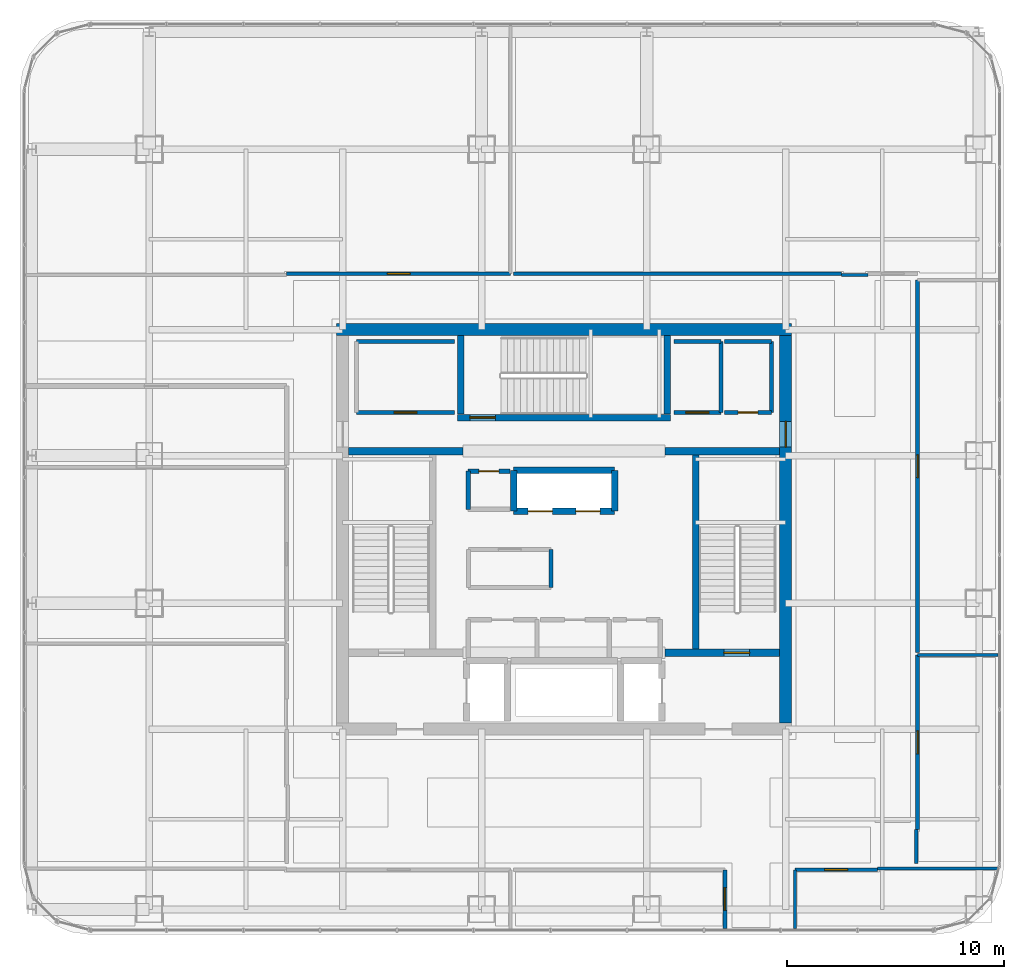
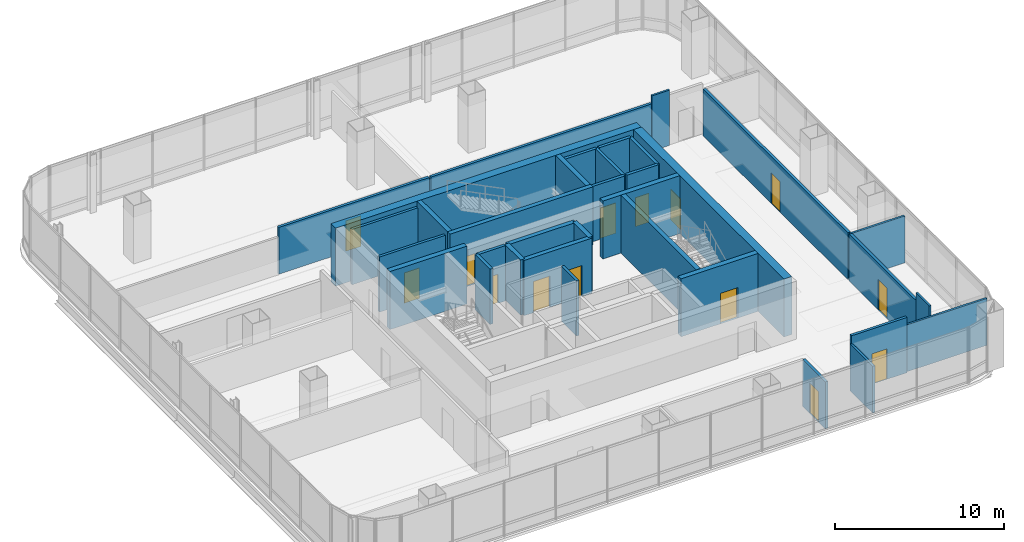
# One storey, part 35 of 41: 35 walls, 14 doors, 14 openings.
"""IFC4 building model written with IfcOpenShell, lengths in metres."""

from ifc_helpers import new_model, si_unit, direction, frame, frame_2d, origin, place, context, subcontext, project, spatial, rectangle, extrude, material, layer, layer_set, type_object, element, fill, save


model = new_model("IFC4")

# Units and contexts
model_context = context("Model", 3, precision=1e-05, world=origin(), true_north=direction((0.0, 1.0)))
body_context = subcontext(model_context, "Body", "Model", "MODEL_VIEW")
ifc_project = project(units=[si_unit("LENGTHUNIT", "METRE"), si_unit("AREAUNIT", "SQUARE_METRE"), si_unit("VOLUMEUNIT", "CUBIC_METRE"), si_unit("PLANEANGLEUNIT", "RADIAN"), si_unit("MASSUNIT", "GRAM", prefix="KILO")], contexts=[model_context])

# Site, building, storey
site_placement = place(None, origin())
site = spatial("IfcSite", under=ifc_project, at=site_placement, CompositionType="ELEMENT")
building_placement = place(site_placement, origin())
building = spatial("IfcBuilding", under=site, at=building_placement, Name="Punatoya Terracotta Tower", CompositionType="ELEMENT")
storey_placement = place(building_placement, frame((0.0, 0.0, 309.0)))
storey = spatial("IfcBuildingStorey", under=building, at=storey_placement, Name="L73", CompositionType="ELEMENT", Elevation=309.0)

# Wall
ifc_material_1 = material(Name="Concrete C50/60", Category="concrete")
ifc_layer_1 = layer(ifc_material_1, 0.550048828125)
ifc_layer_set_1 = layer_set([ifc_layer_1], Name="Concrete C50/60")
wall_type_1 = type_object("IfcWallType", Name="WL-COR-550", PredefinedType="SHEAR", material=ifc_layer_set_1)
wall_1_placement = place(storey_placement, frame((-10.47509765625, 9.199951171875, 0.0), z_axis=(0.0, 0.0, 1.0), x_axis=(1.0, 0.0, 0.0)))
element("IfcWall", 1, at=wall_1_placement, inside=storey, type_object=wall_type_1, Name="L73 Core Shear Wall N", PredefinedType="SHEAR", context=body_context, shape_type="SweptSolid", body=[
    extrude(rectangle(XDim=20.9501953125, YDim=0.550048828125, at=frame_2d((10.47509765625, 0.0))), origin(), (0.0, 0.0, 1.0), 4.199951171875),
])

# Wall, opening, door
wall_2_placement = place(storey_placement, frame((10.199951171875, 8.925048828125, 0.0), z_axis=(0.0, 0.0, 1.0), x_axis=(0.0, -1.0, 0.0)))
wall_2 = element("IfcWall", 2, at=wall_2_placement, inside=storey, type_object=wall_type_1, Name="L73 Core Shear Wall E", PredefinedType="SHEAR", context=body_context, shape_type="SweptSolid", body=[
    extrude(rectangle(XDim=17.85009765625, YDim=0.550048828125, at=frame_2d((8.925048828125, 0.0))), origin(), (0.0, 0.0, 1.0), 4.199951171875),
])
opening_1_placement = place(wall_2_placement, frame((3.955078125, 0.0, 0.0)))
opening_1 = element("IfcOpeningElement", 3, at=opening_1_placement, cuts=wall_2, Name="Opening SD-01", PredefinedType="OPENING", context=body_context, shape_type="SweptSolid", body=[
    extrude(rectangle(XDim=1.179931640625, YDim=2.199951171875, at=frame_2d((0.58984375, 1.10009765625))), frame((0.0, 0.284912109375, 0.0), z_axis=(0.0, -1.0, 0.0), x_axis=(1.0, 0.0, 0.0)), (0.0, 0.0, 1.0), 0.570068359375),
])
ifc_material_2 = material(Name="Galvanised Steel Pressurized Stair Fire Door", Category="steel")
door_type_1 = type_object("IfcDoorType", Name="DR-STR-1180", OperationType="NOTDEFINED", PredefinedType="DOOR", material=ifc_material_2)
door_1_placement = place(opening_1_placement, origin())
door_1 = element("IfcDoor", 4, at=door_1_placement, inside=storey, type_object=door_type_1, Name="L73 Central Lift Lobby East Fire Door", OperationType="SINGLE_SWING_RIGHT", OverallHeight=2.199951171875, OverallWidth=1.179931640625, PredefinedType="DOOR", context=body_context, shape_type="SweptSolid", body=[
    extrude(rectangle(XDim=1.179931640625, YDim=2.199951171875, at=frame_2d((0.58984375, 1.10009765625))), frame((0.0, 0.02490234375, 0.0), z_axis=(0.0, -1.0, 0.0), x_axis=(1.0, 0.0, 0.0)), (0.0, 0.0, 1.0), 0.050048828125),
])
fill(opening_1, door_1)

# Walls
ifc_material_3 = material(Name="Gypsum Fireboard + Steel Stud", Category="steel")
ifc_layer_2 = layer(ifc_material_3, 0.179931640625)
ifc_layer_set_2 = layer_set([ifc_layer_2], Name="Gypsum Fireboard + Steel Stud")
wall_type_2 = type_object("IfcWallType", Name="WL-CORR-180", PredefinedType="PARTITIONING", material=ifc_layer_set_2)
wall_3_placement = place(storey_placement, frame((-0.60009765625, -2.679931640625, 0.0), z_axis=(0.0, 0.0, 1.0), x_axis=(0.0, 1.0, 0.0)))
element("IfcWall", 5, at=wall_3_placement, inside=storey, type_object=wall_type_2, Name="L73 West Core Archive Office Partition 08", PredefinedType="PARTITIONING", context=body_context, shape_type="SweptSolid", body=[
    extrude(rectangle(XDim=1.760009765625, YDim=0.179931640625, at=frame_2d((0.8798828125, 0.0))), origin(), (0.0, 0.0, 1.0), 4.0),
])
wall_4_placement = place(storey_placement, frame((-5.050048828125, 8.64990234375, 0.0), z_axis=(0.0, 0.0, 1.0), x_axis=(-1.0, 0.0, 0.0)))
element("IfcWall", 6, at=wall_4_placement, inside=storey, type_object=wall_type_2, Name="L73 West Core Records Office Partition 15", PredefinedType="PARTITIONING", context=body_context, shape_type="SweptSolid", body=[
    extrude(rectangle(XDim=4.5, YDim=0.179931640625, at=frame_2d((2.25, 0.0))), origin(), (0.0, 0.0, 1.0), 4.0),
])

# Wall, opening, door
wall_5_placement = place(storey_placement, frame((-9.550048828125, 5.3798828125, 0.0), z_axis=(0.0, 0.0, 1.0), x_axis=(1.0, 0.0, 0.0)))
wall_5 = element("IfcWall", 7, at=wall_5_placement, inside=storey, type_object=wall_type_2, Name="L73 West Core Records Office Partition 17", PredefinedType="PARTITIONING", context=body_context, shape_type="SweptSolid", body=[
    extrude(rectangle(XDim=4.5, YDim=0.179931640625, at=frame_2d((2.25, 0.0))), origin(), (0.0, 0.0, 1.0), 4.0),
])
opening_2_placement = place(wall_5_placement, frame((1.72509765625, 0.0, 0.0)))
opening_2 = element("IfcOpeningElement", 8, at=opening_2_placement, cuts=wall_5, Name="Opening OD-01", PredefinedType="OPENING", context=body_context, shape_type="SweptSolid", body=[
    extrude(rectangle(XDim=1.050048828125, YDim=2.199951171875, at=frame_2d((0.52490234375, 1.10009765625))), frame((0.0, 0.099853515625, 0.0), z_axis=(0.0, -1.0, 0.0), x_axis=(1.0, 0.0, 0.0)), (0.0, 0.0, 1.0), 0.199951171875),
])
ifc_material_4 = material(Name="Bengal Teak Solid-Core Leaf")
door_type_2 = type_object("IfcDoorType", Name="DR-OFF-1050", OperationType="NOTDEFINED", PredefinedType="DOOR", material=ifc_material_4)
door_2_placement = place(opening_2_placement, origin())
door_2 = element("IfcDoor", 9, at=door_2_placement, inside=storey, type_object=door_type_2, Name="L73 West Records Office Door", OperationType="SINGLE_SWING_RIGHT", OverallHeight=2.199951171875, OverallWidth=1.050048828125, PredefinedType="DOOR", context=body_context, shape_type="SweptSolid", body=[
    extrude(rectangle(XDim=1.050048828125, YDim=2.199951171875, at=frame_2d((0.52490234375, 1.10009765625))), frame((0.0, 0.02490234375, 0.0), z_axis=(0.0, -1.0, 0.0), x_axis=(1.0, 0.0, 0.0)), (0.0, 0.0, 1.0), 0.050048828125),
])
fill(opening_2, door_2)

wall_6_placement = place(storey_placement, frame((7.39990234375, -15.669921875, 0.0), z_axis=(0.0, 0.0, 1.0), x_axis=(0.0, -1.0, 0.0)))
wall_6 = element("IfcWall", 10, at=wall_6_placement, inside=storey, type_object=wall_type_2, Name="L73 Open-Plan Cartography Reference Library Partition 27", PredefinedType="PARTITIONING", context=body_context, shape_type="SweptSolid", body=[
    extrude(rectangle(XDim=2.7001953125, YDim=0.179931640625, at=frame_2d((1.35009765625, 0.0))), origin(), (0.0, 0.0, 1.0), 3.39404296875),
])
opening_3_placement = place(wall_6_placement, frame((0.824951171875, 0.0, 0.0)))
opening_3 = element("IfcOpeningElement", 11, at=opening_3_placement, cuts=wall_6, Name="Opening OD-01", PredefinedType="OPENING", context=body_context, shape_type="SweptSolid", body=[
    extrude(rectangle(XDim=1.050048828125, YDim=2.199951171875, at=frame_2d((0.52490234375, 1.10009765625))), frame((0.0, 0.099853515625, 0.0), z_axis=(0.0, -1.0, 0.0), x_axis=(1.0, 0.0, 0.0)), (0.0, 0.0, 1.0), 0.199951171875),
])
door_3_placement = place(opening_3_placement, origin())
door_3 = element("IfcDoor", 12, at=door_3_placement, inside=storey, type_object=door_type_2, Name="L73 Open-Plan Cartography Reference Library Door", OperationType="SINGLE_SWING_RIGHT", OverallHeight=2.199951171875, OverallWidth=1.050048828125, PredefinedType="DOOR", context=body_context, shape_type="SweptSolid", body=[
    extrude(rectangle(XDim=1.050048828125, YDim=2.199951171875, at=frame_2d((0.52490234375, 1.10009765625))), frame((0.0, 0.02490234375, 0.0), z_axis=(0.0, -1.0, 0.0), x_axis=(1.0, 0.0, 0.0)), (0.0, 0.0, 1.0), 0.050048828125),
])
fill(opening_3, door_3)

wall_7_placement = place(storey_placement, frame((10.6240234375, -15.669921875, 0.0), z_axis=(0.0, 0.0, 1.0), x_axis=(1.0, 0.0, 0.0)))
wall_7 = element("IfcWall", 13, at=wall_7_placement, inside=storey, type_object=wall_type_2, Name="L73 Open-Plan Materials Testing Laboratory Partition 30", PredefinedType="PARTITIONING", context=body_context, shape_type="SweptSolid", body=[
    extrude(rectangle(XDim=3.7958984375, YDim=0.179931640625, at=frame_2d((1.89794921875, 0.0))), origin(), (0.0, 0.0, 1.0), 4.0),
])
opening_4_placement = place(wall_7_placement, frame((1.373046875, 0.0, 0.0)))
opening_4 = element("IfcOpeningElement", 14, at=opening_4_placement, cuts=wall_7, Name="Opening OD-01", PredefinedType="OPENING", context=body_context, shape_type="SweptSolid", body=[
    extrude(rectangle(XDim=1.050048828125, YDim=2.199951171875, at=frame_2d((0.52490234375, 1.10009765625))), frame((0.0, 0.099853515625, 0.0), z_axis=(0.0, -1.0, 0.0), x_axis=(1.0, 0.0, 0.0)), (0.0, 0.0, 1.0), 0.199951171875),
])
door_4_placement = place(opening_4_placement, origin())
door_4 = element("IfcDoor", 15, at=door_4_placement, inside=storey, type_object=door_type_2, Name="L73 Open-Plan Materials Testing Laboratory Door", OperationType="SINGLE_SWING_LEFT", OverallHeight=2.199951171875, OverallWidth=1.050048828125, PredefinedType="DOOR", context=body_context, shape_type="SweptSolid", body=[
    extrude(rectangle(XDim=1.050048828125, YDim=2.199951171875, at=frame_2d((0.52490234375, 1.10009765625))), frame((0.0, 0.02490234375, 0.0), z_axis=(0.0, -1.0, 0.0), x_axis=(1.0, 0.0, 0.0)), (0.0, 0.0, 1.0), 0.050048828125),
])
fill(opening_4, door_4)

wall_8_placement = place(storey_placement, frame((16.27001953125, -13.820068359375, 0.0), z_axis=(0.0, 0.0, 1.0), x_axis=(0.0, 1.0, 0.0)))
wall_8 = element("IfcWall", 16, at=wall_8_placement, inside=storey, type_object=wall_type_2, Name="L73 Environmental Research Laboratory Partition 33", PredefinedType="PARTITIONING", context=body_context, shape_type="SweptSolid", body=[
    extrude(rectangle(XDim=8.030029296875, YDim=0.179931640625, at=frame_2d((4.01513671875, 0.0))), origin(), (0.0, 0.0, 1.0), 3.39404296875),
])
opening_5_placement = place(wall_8_placement, frame((3.489990234375, 0.0, 0.0)))
opening_5 = element("IfcOpeningElement", 17, at=opening_5_placement, cuts=wall_8, Name="Opening OD-01", PredefinedType="OPENING", context=body_context, shape_type="SweptSolid", body=[
    extrude(rectangle(XDim=1.050048828125, YDim=2.199951171875, at=frame_2d((0.52490234375, 1.10009765625))), frame((0.0, 0.099853515625, 0.0), z_axis=(0.0, -1.0, 0.0), x_axis=(1.0, 0.0, 0.0)), (0.0, 0.0, 1.0), 0.199951171875),
])
door_5_placement = place(opening_5_placement, origin())
door_5 = element("IfcDoor", 18, at=door_5_placement, inside=storey, type_object=door_type_2, Name="L73 Environmental Research Laboratory Door", OperationType="SINGLE_SWING_RIGHT", OverallHeight=2.199951171875, OverallWidth=1.050048828125, PredefinedType="DOOR", context=body_context, shape_type="SweptSolid", body=[
    extrude(rectangle(XDim=1.050048828125, YDim=2.199951171875, at=frame_2d((0.52490234375, 1.10009765625))), frame((0.0, 0.02490234375, 0.0), z_axis=(0.0, -1.0, 0.0), x_axis=(1.0, 0.0, 0.0)), (0.0, 0.0, 1.0), 0.050048828125),
])
fill(opening_5, door_5)

wall_9_placement = place(storey_placement, frame((16.27001953125, -5.669921875, 0.0), z_axis=(0.0, 0.0, 1.0), x_axis=(0.0, 1.0, 0.0)))
wall_9 = element("IfcWall", 19, at=wall_9_placement, inside=storey, type_object=wall_type_2, Name="L73 Open-Plan Wellness Rest Room Partition 41", PredefinedType="PARTITIONING", context=body_context, shape_type="SweptSolid", body=[
    extrude(rectangle(XDim=17.159912109375, YDim=0.179931640625, at=frame_2d((8.580078125, 0.0))), origin(), (0.0, 0.0, 1.0), 3.39404296875),
])
opening_6_placement = place(wall_9_placement, frame((8.054931640625, 0.0, 0.0)))
opening_6 = element("IfcOpeningElement", 20, at=opening_6_placement, cuts=wall_9, Name="Opening OD-01", PredefinedType="OPENING", context=body_context, shape_type="SweptSolid", body=[
    extrude(rectangle(XDim=1.050048828125, YDim=2.199951171875, at=frame_2d((0.52490234375, 1.10009765625))), frame((0.0, 0.099853515625, 0.0), z_axis=(0.0, -1.0, 0.0), x_axis=(1.0, 0.0, 0.0)), (0.0, 0.0, 1.0), 0.199951171875),
])
door_6_placement = place(opening_6_placement, origin())
door_6 = element("IfcDoor", 21, at=door_6_placement, inside=storey, type_object=door_type_2, Name="L73 Open-Plan Wellness Rest Room Door", OperationType="SINGLE_SWING_LEFT", OverallHeight=2.199951171875, OverallWidth=1.050048828125, PredefinedType="DOOR", context=body_context, shape_type="SweptSolid", body=[
    extrude(rectangle(XDim=1.050048828125, YDim=2.199951171875, at=frame_2d((0.52490234375, 1.10009765625))), frame((0.0, 0.02490234375, 0.0), z_axis=(0.0, -1.0, 0.0), x_axis=(1.0, 0.0, 0.0)), (0.0, 0.0, 1.0), 0.050048828125),
])
fill(opening_6, door_6)

wall_10_placement = place(storey_placement, frame((-2.4599609375, 11.77001953125, 0.0), z_axis=(0.0, 0.0, 1.0), x_axis=(-1.0, 0.0, 0.0)))
wall_10 = element("IfcWall", 22, at=wall_10_placement, inside=storey, type_object=wall_type_2, Name="L73 Hydrology Modelling Laboratory Partition 46", PredefinedType="PARTITIONING", context=body_context, shape_type="SweptSolid", body=[
    extrude(rectangle(XDim=10.31005859375, YDim=0.179931640625, at=frame_2d((5.155029296875, 0.0))), origin(), (0.0, 0.0, 1.0), 3.39404296875),
])
opening_7_placement = place(wall_10_placement, frame((4.6298828125, 0.0, 0.0)))
opening_7 = element("IfcOpeningElement", 23, at=opening_7_placement, cuts=wall_10, Name="Opening OD-01", PredefinedType="OPENING", context=body_context, shape_type="SweptSolid", body=[
    extrude(rectangle(XDim=1.050048828125, YDim=2.199951171875, at=frame_2d((0.52490234375, 1.10009765625))), frame((0.0, 0.099853515625, 0.0), z_axis=(0.0, -1.0, 0.0), x_axis=(1.0, 0.0, 0.0)), (0.0, 0.0, 1.0), 0.199951171875),
])
door_7_placement = place(opening_7_placement, origin())
door_7 = element("IfcDoor", 24, at=door_7_placement, inside=storey, type_object=door_type_2, Name="L73 Hydrology Modelling Laboratory Door", OperationType="SINGLE_SWING_LEFT", OverallHeight=2.199951171875, OverallWidth=1.050048828125, PredefinedType="DOOR", context=body_context, shape_type="SweptSolid", body=[
    extrude(rectangle(XDim=1.050048828125, YDim=2.199951171875, at=frame_2d((0.52490234375, 1.10009765625))), frame((0.0, 0.02490234375, 0.0), z_axis=(0.0, -1.0, 0.0), x_axis=(1.0, 0.0, 0.0)), (0.0, 0.0, 1.0), 0.050048828125),
])
fill(opening_7, door_7)

# Wall
wall_11_placement = place(storey_placement, frame((12.77001953125, 11.77001953125, 0.0), z_axis=(0.0, 0.0, 1.0), x_axis=(-1.0, 0.0, 0.0)))
element("IfcWall", 25, at=wall_11_placement, inside=storey, type_object=wall_type_2, Name="L73 Urban Analytics Laboratory Partition 50", PredefinedType="PARTITIONING", context=body_context, shape_type="SweptSolid", body=[
    extrude(rectangle(XDim=15.110107421875, YDim=0.179931640625, at=frame_2d((7.55517578125, 0.0))), origin(), (0.0, 0.0, 1.0), 3.39404296875),
])

# Wall, opening, door
ifc_material_5 = material(Name="Concrete C40/50", Category="concrete")
ifc_layer_3 = layer(ifc_material_5, 0.199951171875)
ifc_layer_set_3 = layer_set([ifc_layer_3], Name="Concrete C40/50")
wall_type_3 = type_object("IfcWallType", Name="WL-INT-200", PredefinedType="SOLIDWALL", material=ifc_layer_set_3)
wall_12_placement = place(storey_placement, frame((-2.5, 2.679931640625, 0.0), z_axis=(0.0, 0.0, 1.0), x_axis=(-1.0, 0.0, 0.0)))
wall_12 = element("IfcWall", 26, at=wall_12_placement, inside=storey, type_object=wall_type_3, Name="L73 Core Security Equipment Closet Partition 12", PredefinedType="SOLIDWALL", context=body_context, shape_type="SweptSolid", body=[
    extrude(rectangle(XDim=1.919921875, YDim=0.199951171875, at=frame_2d((0.9599609375, 0.0))), origin(), (0.0, 0.0, 1.0), 4.0),
])
opening_8_placement = place(wall_12_placement, frame((0.5, 0.0, 0.0)))
opening_8 = element("IfcOpeningElement", 27, at=opening_8_placement, cuts=wall_12, Name="Opening FD-R1", PredefinedType="OPENING", context=body_context, shape_type="SweptSolid", body=[
    extrude(rectangle(XDim=0.919921875, YDim=2.10009765625, at=frame_2d((0.4599609375, 1.050048828125))), frame((0.0, 0.10986328125, 0.0), z_axis=(0.0, -1.0, 0.0), x_axis=(1.0, 0.0, 0.0)), (0.0, 0.0, 1.0), 0.219970703125),
])
ifc_material_6 = material(Name="Galvanised Steel Riser Fire Access Door", Category="steel")
door_type_3 = type_object("IfcDoorType", Name="DR-RSR-920", OperationType="NOTDEFINED", PredefinedType="DOOR", material=ifc_material_6)
door_8_placement = place(opening_8_placement, origin())
door_8 = element("IfcDoor", 28, at=door_8_placement, inside=storey, type_object=door_type_3, Name="L73 Core Security Equipment Closet Fire Door", OperationType="SINGLE_SWING_LEFT", OverallHeight=2.10009765625, OverallWidth=0.919921875, PredefinedType="DOOR", context=body_context, shape_type="SweptSolid", body=[
    extrude(rectangle(XDim=0.919921875, YDim=2.10009765625, at=frame_2d((0.4599609375, 1.050048828125))), frame((0.0, 0.02490234375, 0.0), z_axis=(0.0, -1.0, 0.0), x_axis=(1.0, 0.0, 0.0)), (0.0, 0.0, 1.0), 0.050048828125),
])
fill(opening_8, door_8)

# Walls
wall_13_placement = place(storey_placement, frame((-4.419921875, 2.679931640625, 0.0), z_axis=(0.0, 0.0, 1.0), x_axis=(0.0, -1.0, 0.0)))
element("IfcWall", 29, at=wall_13_placement, inside=storey, type_object=wall_type_3, Name="L73 Core Security Equipment Closet Partition 13", PredefinedType="SOLIDWALL", context=body_context, shape_type="SweptSolid", body=[
    extrude(rectangle(XDim=1.760009765625, YDim=0.199951171875, at=frame_2d((0.8798828125, 0.0))), origin(), (0.0, 0.0, 1.0), 4.0),
])
wall_14_placement = place(storey_placement, frame((7.219970703125, 5.3798828125, 0.0), z_axis=(0.0, 0.0, 1.0), x_axis=(0.0, 1.0, 0.0)))
element("IfcWall", 30, at=wall_14_placement, inside=storey, type_object=wall_type_3, Name="L73 East Core Pantry Partition 18", PredefinedType="SOLIDWALL", context=body_context, shape_type="SweptSolid", body=[
    extrude(rectangle(XDim=3.27001953125, YDim=0.199951171875, at=frame_2d((1.635009765625, 0.0))), origin(), (0.0, 0.0, 1.0), 4.0),
])
wall_15_placement = place(storey_placement, frame((7.219970703125, 8.64990234375, 0.0), z_axis=(0.0, 0.0, 1.0), x_axis=(-1.0, 0.0, 0.0)))
element("IfcWall", 31, at=wall_15_placement, inside=storey, type_object=wall_type_3, Name="L73 East Core Pantry Partition 19", PredefinedType="SOLIDWALL", context=body_context, shape_type="SweptSolid", body=[
    extrude(rectangle(XDim=2.169921875, YDim=0.199951171875, at=frame_2d((1.0849609375, 0.0))), origin(), (0.0, 0.0, 1.0), 4.0),
])

# Wall, opening, door
wall_16_placement = place(storey_placement, frame((5.050048828125, 5.3798828125, 0.0), z_axis=(0.0, 0.0, 1.0), x_axis=(1.0, 0.0, 0.0)))
wall_16 = element("IfcWall", 32, at=wall_16_placement, inside=storey, type_object=wall_type_3, Name="L73 East Core Pantry Partition 20", PredefinedType="SOLIDWALL", context=body_context, shape_type="SweptSolid", body=[
    extrude(rectangle(XDim=2.169921875, YDim=0.199951171875, at=frame_2d((1.0849609375, 0.0))), origin(), (0.0, 0.0, 1.0), 4.0),
])
opening_9_placement = place(wall_16_placement, frame((0.56005859375, 0.0, 0.0)))
opening_9 = element("IfcOpeningElement", 33, at=opening_9_placement, cuts=wall_16, Name="Opening OD-01", PredefinedType="OPENING", context=body_context, shape_type="SweptSolid", body=[
    extrude(rectangle(XDim=1.050048828125, YDim=2.199951171875, at=frame_2d((0.52490234375, 1.10009765625))), frame((0.0, 0.10986328125, 0.0), z_axis=(0.0, -1.0, 0.0), x_axis=(1.0, 0.0, 0.0)), (0.0, 0.0, 1.0), 0.219970703125),
])
door_9_placement = place(opening_9_placement, origin())
door_9 = element("IfcDoor", 34, at=door_9_placement, inside=storey, type_object=door_type_2, Name="L73 East Pantry Door", OperationType="SINGLE_SWING_LEFT", OverallHeight=2.199951171875, OverallWidth=1.050048828125, PredefinedType="DOOR", context=body_context, shape_type="SweptSolid", body=[
    extrude(rectangle(XDim=1.050048828125, YDim=2.199951171875, at=frame_2d((0.52490234375, 1.10009765625))), frame((0.0, 0.02490234375, 0.0), z_axis=(0.0, -1.0, 0.0), x_axis=(1.0, 0.0, 0.0)), (0.0, 0.0, 1.0), 0.050048828125),
])
fill(opening_9, door_9)

# Walls
wall_17_placement = place(storey_placement, frame((9.550048828125, 5.3798828125, 0.0), z_axis=(0.0, 0.0, 1.0), x_axis=(0.0, 1.0, 0.0)))
element("IfcWall", 35, at=wall_17_placement, inside=storey, type_object=wall_type_3, Name="L73 East Core Store Partition 21", PredefinedType="SOLIDWALL", context=body_context, shape_type="SweptSolid", body=[
    extrude(rectangle(XDim=3.27001953125, YDim=0.199951171875, at=frame_2d((1.635009765625, 0.0))), origin(), (0.0, 0.0, 1.0), 4.0),
])
wall_18_placement = place(storey_placement, frame((9.550048828125, 8.64990234375, 0.0), z_axis=(0.0, 0.0, 1.0), x_axis=(-1.0, 0.0, 0.0)))
element("IfcWall", 36, at=wall_18_placement, inside=storey, type_object=wall_type_3, Name="L73 East Core Store Partition 22", PredefinedType="SOLIDWALL", context=body_context, shape_type="SweptSolid", body=[
    extrude(rectangle(XDim=2.170166015625, YDim=0.199951171875, at=frame_2d((1.0849609375, 0.0))), origin(), (0.0, 0.0, 1.0), 4.0),
])

# Wall, opening, door
wall_19_placement = place(storey_placement, frame((7.3798828125, 5.3798828125, 0.0), z_axis=(0.0, 0.0, 1.0), x_axis=(1.0, 0.0, 0.0)))
wall_19 = element("IfcWall", 37, at=wall_19_placement, inside=storey, type_object=wall_type_3, Name="L73 East Core Store Partition 23", PredefinedType="SOLIDWALL", context=body_context, shape_type="SweptSolid", body=[
    extrude(rectangle(XDim=2.170166015625, YDim=0.199951171875, at=frame_2d((1.0849609375, 0.0))), origin(), (0.0, 0.0, 1.0), 4.0),
])
opening_10_placement = place(wall_19_placement, frame((0.625, 0.0, 0.0)))
opening_10 = element("IfcOpeningElement", 38, at=opening_10_placement, cuts=wall_19, Name="Opening FD-R1", PredefinedType="OPENING", context=body_context, shape_type="SweptSolid", body=[
    extrude(rectangle(XDim=0.919921875, YDim=2.10009765625, at=frame_2d((0.4599609375, 1.050048828125))), frame((0.0, 0.10986328125, 0.0), z_axis=(0.0, -1.0, 0.0), x_axis=(1.0, 0.0, 0.0)), (0.0, 0.0, 1.0), 0.219970703125),
])
door_10_placement = place(opening_10_placement, origin())
door_10 = element("IfcDoor", 39, at=door_10_placement, inside=storey, type_object=door_type_3, Name="L73 East Core Store Fire Door", OperationType="SINGLE_SWING_RIGHT", OverallHeight=2.10009765625, OverallWidth=0.919921875, PredefinedType="DOOR", context=body_context, shape_type="SweptSolid", body=[
    extrude(rectangle(XDim=0.919921875, YDim=2.10009765625, at=frame_2d((0.4599609375, 1.050048828125))), frame((0.0, 0.02490234375, 0.0), z_axis=(0.0, -1.0, 0.0), x_axis=(1.0, 0.0, 0.0)), (0.0, 0.0, 1.0), 0.050048828125),
])
fill(opening_10, door_10)

# Walls
ifc_material_7 = material(Name="Acoustic Gypsum + Steel Stud", Category="steel")
ifc_layer_4 = layer(ifc_material_7, 0.139892578125)
ifc_layer_set_4 = layer_set([ifc_layer_4], Name="Acoustic Gypsum + Steel Stud")
wall_type_4 = type_object("IfcWallType", Name="WL-OFF-140", PredefinedType="PARTITIONING", material=ifc_layer_set_4)
wall_20_placement = place(storey_placement, frame((10.6240234375, -18.3701171875, 0.0), z_axis=(0.0, 0.0, 1.0), x_axis=(0.0, 1.0, 0.0)))
element("IfcWall", 40, at=wall_20_placement, inside=storey, type_object=wall_type_4, Name="L73 Open-Plan Materials Testing Laboratory Partition 29", PredefinedType="PARTITIONING", context=body_context, shape_type="SweptSolid", body=[
    extrude(rectangle(XDim=2.7001953125, YDim=0.139892578125, at=frame_2d((1.35009765625, 0.0))), origin(), (0.0, 0.0, 1.0), 3.39404296875),
])
wall_21_placement = place(storey_placement, frame((14.419921875, -15.610107421875, 0.0), z_axis=(0.0, 0.0, 1.0), x_axis=(1.0, 0.0, 0.0)))
element("IfcWall", 41, at=wall_21_placement, inside=storey, type_object=wall_type_4, Name="L73 Open-Plan Materials Testing Laboratory Partition 31", PredefinedType="PARTITIONING", context=body_context, shape_type="SweptSolid", body=[
    extrude(rectangle(XDim=5.526611328125, YDim=0.139892578125, at=frame_2d((2.76318359375, 0.0))), origin(), (0.0, 0.0, 1.0), 3.39404296875),
])
wall_22_placement = place(storey_placement, frame((16.2099609375, -15.389892578125, 0.0), z_axis=(0.0, 0.0, 1.0), x_axis=(0.0, 1.0, 0.0)))
element("IfcWall", 42, at=wall_22_placement, inside=storey, type_object=wall_type_4, Name="L73 Environmental Research Laboratory Partition 32", PredefinedType="PARTITIONING", context=body_context, shape_type="SweptSolid", body=[
    extrude(rectangle(XDim=1.56982421875, YDim=0.139892578125, at=frame_2d((0.784912109375, 0.0))), origin(), (0.0, 0.0, 1.0), 4.0),
])
wall_23_placement = place(storey_placement, frame((16.27001953125, -5.7900390625, 0.0), z_axis=(0.0, 0.0, 1.0), x_axis=(1.0, 0.0, 0.0)))
element("IfcWall", 43, at=wall_23_placement, inside=storey, type_object=wall_type_4, Name="L73 Environmental Research Laboratory Partition 34", PredefinedType="PARTITIONING", context=body_context, shape_type="SweptSolid", body=[
    extrude(rectangle(XDim=3.699951171875, YDim=0.139892578125, at=frame_2d((1.85009765625, 0.0))), origin(), (0.0, 0.0, 1.0), 3.39404296875),
])
wall_24_placement = place(storey_placement, frame((13.97998046875, 11.7099609375, 0.0), z_axis=(0.0, 0.0, 1.0), x_axis=(-1.0, 0.0, 0.0)))
element("IfcWall", 44, at=wall_24_placement, inside=storey, type_object=wall_type_4, Name="L73 Urban Analytics Laboratory Partition 49", PredefinedType="PARTITIONING", context=body_context, shape_type="SweptSolid", body=[
    extrude(rectangle(XDim=1.2099609375, YDim=0.139892578125, at=frame_2d((0.60498046875, 0.0))), origin(), (0.0, 0.0, 1.0), 4.0),
])
ifc_layer_5 = layer(ifc_material_5, 0.300048828125)
ifc_layer_set_5 = layer_set([ifc_layer_5], Name="Concrete C40/50")
wall_type_5 = type_object("IfcWallType", Name="WL-SHF-300", PredefinedType="SOLIDWALL", material=ifc_layer_set_5)
wall_25_placement = place(storey_placement, frame((6.050048828125, 3.449951171875, 0.0), z_axis=(0.0, 0.0, 1.0), x_axis=(0.0, -1.0, 0.0)))
element("IfcWall", 45, at=wall_25_placement, inside=storey, type_object=wall_type_5, Name="L73 Structural Stair Shaft Wall SW-ST2-W", PredefinedType="SOLIDWALL", context=body_context, shape_type="SweptSolid", body=[
    extrude(rectangle(XDim=8.949951171875, YDim=0.300048828125, at=frame_2d((4.47509765625, 0.0))), origin(), (0.0, 0.0, 1.0), 4.199951171875),
])
for number, where, z_axis, x_axis, name in (
    (46, (-4.75, 5.300048828125, 0.0), (0.0, 0.0, 1.0), (0.0, 1.0, 0.0), "L73 Structural Stair Shaft Wall SW-ST3-W"),
    (47, (4.75, 8.925048828125, 0.0), (0.0, 0.0, 1.0), (0.0, -1.0, 0.0), "L73 Structural Stair Shaft Wall SW-ST3-E"),
):
    element("IfcWall", number, at=place(storey_placement, frame(where, z_axis=z_axis, x_axis=x_axis)), inside=storey, type_object=wall_type_5, Name=name, PredefinedType="SOLIDWALL", context=body_context, shape_type="SweptSolid", body=[
        extrude(rectangle(XDim=3.625, YDim=0.300048828125, at=frame_2d((1.8125, 0.0))), origin(), (0.0, 0.0, 1.0), 4.199951171875),
    ])

# Wall, opening, door
wall_26_placement = place(storey_placement, frame((-4.89990234375, 5.14990234375, 0.0), z_axis=(0.0, 0.0, 1.0), x_axis=(1.0, 0.0, 0.0)))
wall_26 = element("IfcWall", 48, at=wall_26_placement, inside=storey, type_object=wall_type_5, Name="L73 Structural Stair Shaft Wall SW-ST3-S", PredefinedType="SOLIDWALL", context=body_context, shape_type="SweptSolid", body=[
    extrude(rectangle(XDim=9.7998046875, YDim=0.300048828125, at=frame_2d((4.89990234375, 0.0))), origin(), (0.0, 0.0, 1.0), 4.199951171875),
])
opening_11_placement = place(wall_26_placement, frame((0.56005859375, 0.0, 0.0)))
opening_11 = element("IfcOpeningElement", 49, at=opening_11_placement, cuts=wall_26, Name="Opening SD-01", PredefinedType="OPENING", context=body_context, shape_type="SweptSolid", body=[
    extrude(rectangle(XDim=1.179931640625, YDim=2.199951171875, at=frame_2d((0.58984375, 1.10009765625))), frame((0.0, 0.159912109375, 0.0), z_axis=(0.0, -1.0, 0.0), x_axis=(1.0, 0.0, 0.0)), (0.0, 0.0, 1.0), 0.320068359375),
])
door_11_placement = place(opening_11_placement, origin())
door_11 = element("IfcDoor", 50, at=door_11_placement, inside=storey, type_object=door_type_1, Name="L73 Stair ST-3 Core Lobby Fire Door", OperationType="SINGLE_SWING_LEFT", OverallHeight=2.199951171875, OverallWidth=1.179931640625, PredefinedType="DOOR", context=body_context, shape_type="SweptSolid", body=[
    extrude(rectangle(XDim=1.179931640625, YDim=2.199951171875, at=frame_2d((0.58984375, 1.10009765625))), frame((0.0, 0.02490234375, 0.0), z_axis=(0.0, -1.0, 0.0), x_axis=(1.0, 0.0, 0.0)), (0.0, 0.0, 1.0), 0.050048828125),
])
fill(opening_11, door_11)

# Wall, openings, doors
wall_27_placement = place(storey_placement, frame((-2.320068359375, 0.840087890625, 0.0), z_axis=(0.0, 0.0, 1.0), x_axis=(1.0, 0.0, 0.0)))
wall_27 = element("IfcWall", 51, at=wall_27_placement, inside=storey, type_object=wall_type_5, Name="L73 North Lift Bank Front Shaft Wall", PredefinedType="SOLIDWALL", context=body_context, shape_type="SweptSolid", body=[
    extrude(rectangle(XDim=4.64013671875, YDim=0.300048828125, at=frame_2d((2.320068359375, 0.0))), origin(), (0.0, 0.0, 1.0), 4.0),
])
opening_12_placement = place(wall_27_placement, frame((0.659912109375, 0.0, 0.0)))
opening_12 = element("IfcOpeningElement", 52, at=opening_12_placement, cuts=wall_27, Name="Opening LD-02", PredefinedType="OPENING", context=body_context, shape_type="SweptSolid", body=[
    extrude(rectangle(XDim=1.1201171875, YDim=2.25, at=frame_2d((0.56005859375, 1.125))), frame((0.0, 0.159912109375, 0.0), z_axis=(0.0, -1.0, 0.0), x_axis=(1.0, 0.0, 0.0)), (0.0, 0.0, 1.0), 0.320068359375),
])
opening_13_placement = place(wall_27_placement, frame((2.860107421875, 0.0, 0.0)))
opening_13 = element("IfcOpeningElement", 53, at=opening_13_placement, cuts=wall_27, Name="Opening LD-02", PredefinedType="OPENING", context=body_context, shape_type="SweptSolid", body=[
    extrude(rectangle(XDim=1.1201171875, YDim=2.25, at=frame_2d((0.56005859375, 1.125))), frame((0.0, 0.159912109375, 0.0), z_axis=(0.0, -1.0, 0.0), x_axis=(1.0, 0.0, 0.0)), (0.0, 0.0, 1.0), 0.320068359375),
])
ifc_material_8 = material(Name="Stainless Steel Lift Landing Door", Category="steel")
door_type_4 = type_object("IfcDoorType", Name="DR-LND-1120", OperationType="NOTDEFINED", PredefinedType="DOOR", material=ifc_material_8)
door_12_placement = place(opening_12_placement, origin())
door_12 = element("IfcDoor", 54, at=door_12_placement, inside=storey, type_object=door_type_4, Name="L73 Lift PL-E1 Sliding Landing Door", OperationType="DOUBLE_DOOR_SLIDING", OverallHeight=2.25, OverallWidth=1.1201171875, PredefinedType="DOOR", context=body_context, shape_type="SweptSolid", body=[
    extrude(rectangle(XDim=1.1201171875, YDim=2.25, at=frame_2d((0.56005859375, 1.125))), frame((0.0, 0.02490234375, 0.0), z_axis=(0.0, -1.0, 0.0), x_axis=(1.0, 0.0, 0.0)), (0.0, 0.0, 1.0), 0.050048828125),
])
fill(opening_12, door_12)
door_13_placement = place(opening_13_placement, origin())
door_13 = element("IfcDoor", 55, at=door_13_placement, inside=storey, type_object=door_type_4, Name="L73 Lift PL-E2 Sliding Landing Door", OperationType="DOUBLE_DOOR_SLIDING", OverallHeight=2.25, OverallWidth=1.1201171875, PredefinedType="DOOR", context=body_context, shape_type="SweptSolid", body=[
    extrude(rectangle(XDim=1.1201171875, YDim=2.25, at=frame_2d((0.56005859375, 1.125))), frame((0.0, 0.02490234375, 0.0), z_axis=(0.0, -1.0, 0.0), x_axis=(1.0, 0.0, 0.0)), (0.0, 0.0, 1.0), 0.050048828125),
])
fill(opening_13, door_13)

# Walls
wall_28_placement = place(storey_placement, frame((-2.320068359375, 2.719970703125, 0.0), z_axis=(0.0, 0.0, 1.0), x_axis=(1.0, 0.0, 0.0)))
element("IfcWall", 56, at=wall_28_placement, inside=storey, type_object=wall_type_5, Name="L73 North Lift Bank Rear Shaft Wall", PredefinedType="SOLIDWALL", context=body_context, shape_type="SweptSolid", body=[
    extrude(rectangle(XDim=4.64013671875, YDim=0.300048828125, at=frame_2d((2.320068359375, 0.0))), origin(), (0.0, 0.0, 1.0), 4.0),
])
for number, where, z_axis, x_axis, name in (
    (57, (-2.320068359375, 0.840087890625, 0.0), (0.0, 0.0, 1.0), (0.0, 1.0, 0.0), "L73 North Lift Bank West End Wall"),
    (58, (2.320068359375, 0.840087890625, 0.0), (0.0, 0.0, 1.0), (0.0, 1.0, 0.0), "L73 North Lift Bank East End Wall"),
):
    element("IfcWall", number, at=place(storey_placement, frame(where, z_axis=z_axis, x_axis=x_axis)), inside=storey, type_object=wall_type_5, Name=name, PredefinedType="SOLIDWALL", context=body_context, shape_type="SweptSolid", body=[
        extrude(rectangle(XDim=1.8798828125, YDim=0.300048828125, at=frame_2d((0.93994140625, 0.0))), origin(), (0.0, 0.0, 1.0), 4.0),
    ])

# Wall, opening, door
ifc_layer_6 = layer(ifc_material_1, 0.35009765625)
ifc_layer_set_6 = layer_set([ifc_layer_6], Name="Concrete C50/60")
wall_type_6 = type_object("IfcWallType", Name="WL-SHF-350", PredefinedType="SOLIDWALL", material=ifc_layer_set_6)
wall_29_placement = place(storey_placement, frame((4.64990234375, -5.679931640625, 0.0), z_axis=(0.0, 0.0, 1.0), x_axis=(1.0, 0.0, 0.0)))
wall_29 = element("IfcWall", 59, at=wall_29_placement, inside=storey, type_object=wall_type_6, Name="L73 Core Web Wall CSW-R", PredefinedType="SOLIDWALL", context=body_context, shape_type="SweptSolid", body=[
    extrude(rectangle(XDim=5.275146484375, YDim=0.35009765625, at=frame_2d((2.6376953125, 0.0))), origin(), (0.0, 0.0, 1.0), 4.199951171875),
])
opening_14_placement = place(wall_29_placement, frame((2.7099609375, 0.0, 0.0)))
opening_14 = element("IfcOpeningElement", 60, at=opening_14_placement, cuts=wall_29, Name="Opening SD-01", PredefinedType="OPENING", context=body_context, shape_type="SweptSolid", body=[
    extrude(rectangle(XDim=1.179931640625, YDim=2.199951171875, at=frame_2d((0.58984375, 1.10009765625))), frame((0.0, 0.18505859375, 0.0), z_axis=(0.0, -1.0, 0.0), x_axis=(1.0, 0.0, 0.0)), (0.0, 0.0, 1.0), 0.3701171875),
])
door_14_placement = place(opening_14_placement, origin())
door_14 = element("IfcDoor", 61, at=door_14_placement, inside=storey, type_object=door_type_1, Name="L73 Stair ST-2 Smokeproof Lobby Fire Door", OperationType="SINGLE_SWING_RIGHT", OverallHeight=2.199951171875, OverallWidth=1.179931640625, PredefinedType="DOOR", context=body_context, shape_type="SweptSolid", body=[
    extrude(rectangle(XDim=1.179931640625, YDim=2.199951171875, at=frame_2d((0.58984375, 1.10009765625))), frame((0.0, 0.02490234375, 0.0), z_axis=(0.0, -1.0, 0.0), x_axis=(1.0, 0.0, 0.0)), (0.0, 0.0, 1.0), 0.050048828125),
])
fill(opening_14, door_14)

# Walls
for number, where, z_axis, x_axis, name in (
    (62, (-9.925048828125, 3.60009765625, 0.0), (0.0, 0.0, 1.0), (1.0, 0.0, 0.0), "L73 Core Web Wall CNW-L"),
    (63, (4.64990234375, 3.60009765625, 0.0), (0.0, 0.0, 1.0), (1.0, 0.0, 0.0), "L73 Core Web Wall CNW-R"),
):
    element("IfcWall", number, at=place(storey_placement, frame(where, z_axis=z_axis, x_axis=x_axis)), inside=storey, type_object=wall_type_6, Name=name, PredefinedType="SOLIDWALL", context=body_context, shape_type="SweptSolid", body=[
        extrude(rectangle(XDim=5.275146484375, YDim=0.35009765625, at=frame_2d((2.6376953125, 0.0))), origin(), (0.0, 0.0, 1.0), 4.199951171875),
    ])

save(model, "model.ifc")
